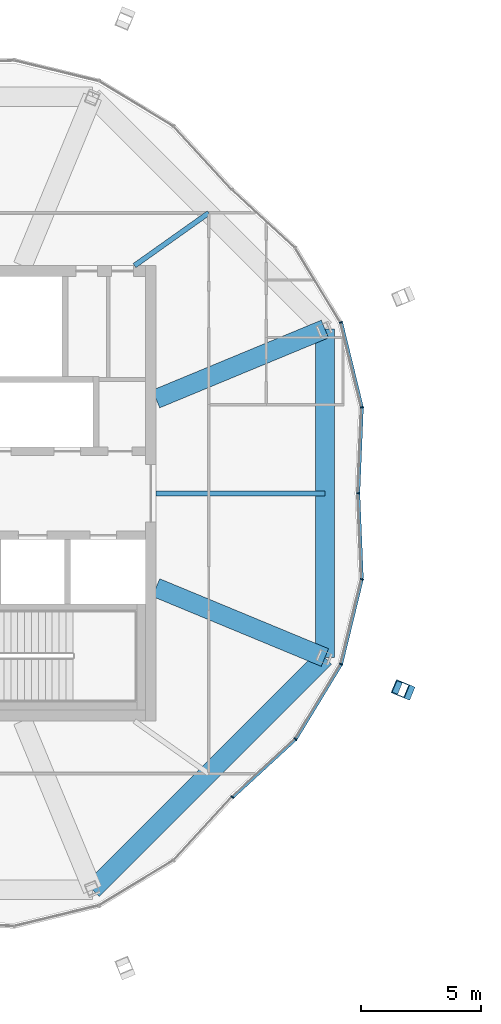
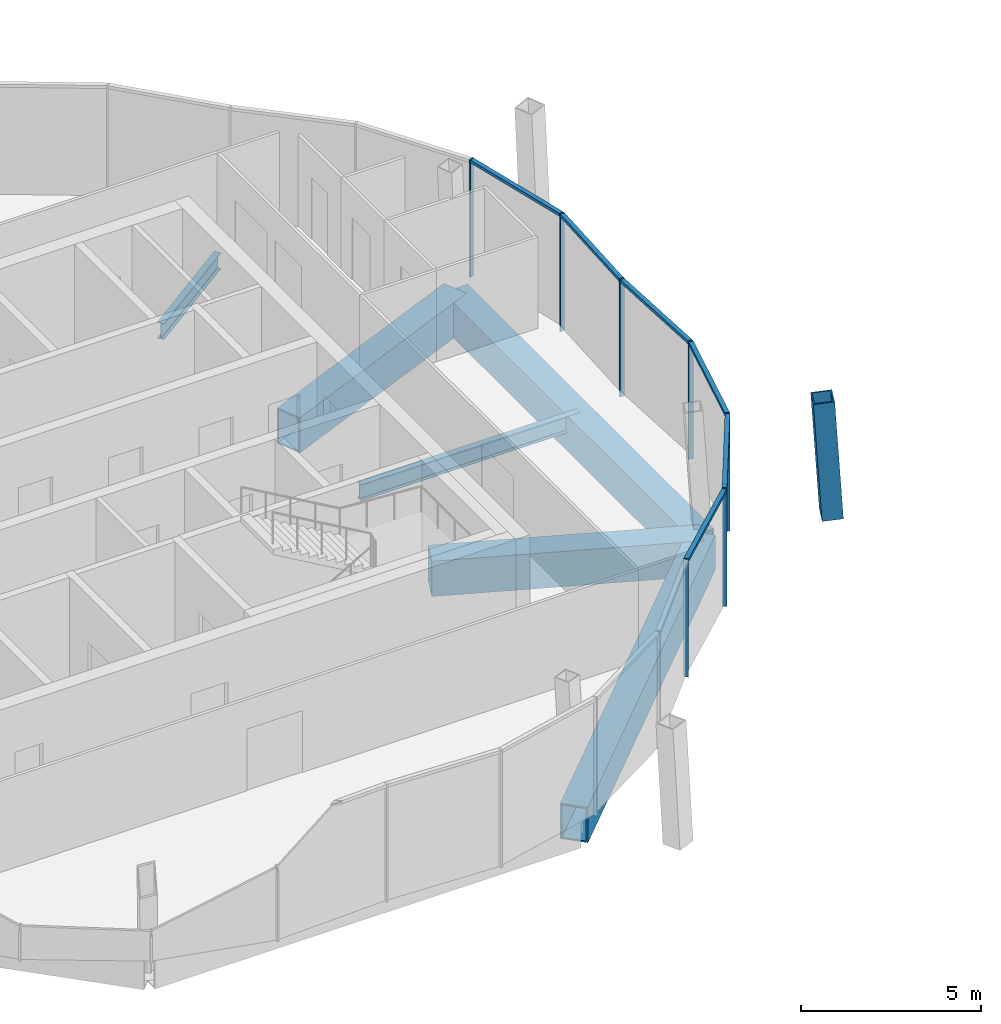
# One storey, part 5 of 22: 14 members, 6 beams, 4 elements without a shape of their own.
"""IFC4 building model written with IfcOpenShell, lengths in metres."""

from ifc_helpers import new_model, si_unit, direction, frame, origin, origin_2d, place, context, subcontext, project, spatial, rectangle, hollow_rectangle, i_section, extrude, material, material_profile, profile_set, type_object, element, aggregate, save


model = new_model("IFC4")

# Units and contexts
model_context = context("Model", 3, precision=1e-05, world=origin(), true_north=direction((0.0, 1.0)))
body_context = subcontext(model_context, "Body", "Model", "MODEL_VIEW")
ifc_project = project(units=[si_unit("LENGTHUNIT", "METRE"), si_unit("AREAUNIT", "SQUARE_METRE"), si_unit("VOLUMEUNIT", "CUBIC_METRE"), si_unit("PLANEANGLEUNIT", "RADIAN"), si_unit("MASSUNIT", "GRAM", prefix="KILO")], contexts=[model_context])

# Site, building, storey
site_placement = place(None, origin())
site = spatial("IfcSite", under=ifc_project, at=site_placement, CompositionType="ELEMENT")
building_placement = place(site_placement, origin())
building = spatial("IfcBuilding", under=site, at=building_placement, Name="Ogive Gate Towers", CompositionType="ELEMENT")
storey_placement = place(building_placement, frame((0.0, 0.0, 298.0)))
storey = spatial("IfcBuildingStorey", under=building, at=storey_placement, Name="L70", CompositionType="ELEMENT", Elevation=298.0)

# Curtain wall, members
ifc_material_1 = material(Name="Pale metal aluminium", Category="aluminium")
curtain_wall_type = type_object("IfcCurtainWallType", Name="Crown lean wall", PredefinedType="NOTDEFINED", material=ifc_material_1)
curtain_wall_1_placement = place(storey_placement, origin())
curtain_wall_1 = element("IfcCurtainWall", 1, at=curtain_wall_1_placement, inside=storey, type_object=curtain_wall_type, Name="CW5 T1 ECW01", PredefinedType="NOTDEFINED")
ifc_material_profile_1 = material_profile(ifc_material_1, rectangle(XDim=0.139892578125, YDim=0.050048828125, at=origin_2d()), Name="50 x 140 aluminium box")
ifc_profile_set_1 = profile_set([ifc_material_profile_1], Name="Pale metal aluminium")
member_type_1 = type_object("IfcMemberType", Name="Crown lean wall mullion 50 x 140", PredefinedType="MULLION", material=ifc_profile_set_1)
member_1_placement = place(storey_placement, frame((-18.77783203125, 7.1337890625, -0.300048828125), z_axis=(0.0, 0.0, 1.0), x_axis=(-0.923879532511, -0.382683432365, 0.0)))
member_1 = element("IfcMember", 2, at=member_1_placement, type_object=member_type_1, Name="CW5 mullion", PredefinedType="MULLION", context=body_context, shape_type="SweptSolid", body=[
    extrude(rectangle(XDim=0.139892578125, YDim=0.050048828125, at=origin_2d()), origin(), (0.0, 0.0, 1.0), 4.0),
])
member_2_placement = place(storey_placement, frame((-17.911376953125, 3.585205078125, -0.300048828125), z_axis=(0.0, 0.0, 1.0), x_axis=(-0.995103987926, -0.098833462017, 0.0)))
member_2 = element("IfcMember", 3, at=member_2_placement, type_object=member_type_1, Name="CW5 mullion", PredefinedType="MULLION", context=body_context, shape_type="SweptSolid", body=[
    extrude(rectangle(XDim=0.139892578125, YDim=0.050048828125, at=origin_2d()), origin(), (0.0, 0.0, 1.0), 4.0),
])
member_3_placement = place(storey_placement, frame((-18.059814453125, -0.001220703125, -0.300048828125), z_axis=(0.0, 0.0, 1.0), x_axis=(-0.99914100669, 0.041439700181, 0.0)))
member_3 = element("IfcMember", 4, at=member_3_placement, type_object=member_type_1, Name="CW5 mullion", PredefinedType="MULLION", context=body_context, shape_type="SweptSolid", body=[
    extrude(rectangle(XDim=0.139892578125, YDim=0.050048828125, at=origin_2d()), origin(), (0.0, 0.0, 1.0), 4.0),
])

# Curtain wall, member
curtain_wall_2_placement = place(storey_placement, origin())
curtain_wall_2 = element("IfcCurtainWall", 5, at=curtain_wall_2_placement, inside=storey, type_object=curtain_wall_type, Name="CW5 T1 ECW07", PredefinedType="NOTDEFINED")
member_4_placement = place(storey_placement, frame((-23.313720703125, -12.6845703125, -0.300048828125), z_axis=(0.0, 0.0, 1.0), x_axis=(-0.735813493407, 0.677184245918, 0.0)))
member_4 = element("IfcMember", 6, at=member_4_placement, type_object=member_type_1, Name="CW5 mullion", PredefinedType="MULLION", context=body_context, shape_type="SweptSolid", body=[
    extrude(rectangle(XDim=0.139892578125, YDim=0.050048828125, at=origin_2d()), origin(), (0.0, 0.0, 1.0), 4.0),
])
aggregate(curtain_wall_2, [member_4])

# Curtain wall, members
curtain_wall_3_placement = place(storey_placement, origin())
curtain_wall_3 = element("IfcCurtainWall", 7, at=curtain_wall_3_placement, inside=storey, type_object=curtain_wall_type, Name="CW5 T1 ECW08", PredefinedType="NOTDEFINED")
member_5_placement = place(storey_placement, frame((-17.912109375, -3.589111328125, -0.300048828125), z_axis=(0.0, 0.0, 1.0), x_axis=(-0.971470528077, 0.237160310926, 0.0)))
member_5 = element("IfcMember", 8, at=member_5_placement, type_object=member_type_1, Name="CW5 mullion", PredefinedType="MULLION", context=body_context, shape_type="SweptSolid", body=[
    extrude(rectangle(XDim=0.139892578125, YDim=0.050048828125, at=origin_2d()), origin(), (0.0, 0.0, 1.0), 4.0),
])
member_6_placement = place(storey_placement, frame((-18.77783203125, -7.1337890625, -0.300048828125), z_axis=(0.0, 0.0, 1.0), x_axis=(-0.923879532511, 0.382683432365, 0.0)))
member_6 = element("IfcMember", 9, at=member_6_placement, type_object=member_type_1, Name="CW5 mullion", PredefinedType="MULLION", context=body_context, shape_type="SweptSolid", body=[
    extrude(rectangle(XDim=0.139892578125, YDim=0.050048828125, at=origin_2d()), origin(), (0.0, 0.0, 1.0), 4.0),
])
member_7_placement = place(storey_placement, frame((-20.674560546875, -10.255615234375, -0.300048828125), z_axis=(0.0, 0.0, 1.0), x_axis=(-0.77351952775, 0.633772467207, 0.0)))
member_7 = element("IfcMember", 10, at=member_7_placement, type_object=member_type_1, Name="CW5 mullion", PredefinedType="MULLION", context=body_context, shape_type="SweptSolid", body=[
    extrude(rectangle(XDim=0.139892578125, YDim=0.050048828125, at=origin_2d()), origin(), (0.0, 0.0, 1.0), 4.0),
])

# Member
ifc_material_profile_2 = material_profile(ifc_material_1, rectangle(XDim=0.139892578125, YDim=0.10009765625, at=origin_2d()), Name="100 x 140 aluminium box")
ifc_profile_set_2 = profile_set([ifc_material_profile_2], Name="Pale metal aluminium")
member_type_2 = type_object("IfcMemberType", Name="Crown lean wall transom 100 x 140", PredefinedType="USERDEFINED", material=ifc_profile_set_2)
member_8_placement = place(storey_placement, frame((-18.7705078125, 7.10498046875, 3.64990234375), z_axis=(0.237145397056, -0.971474168805, 0.0), x_axis=(0.971474168805, 0.237145397056, 0.0)))
member_8 = element("IfcMember", 11, at=member_8_placement, type_object=member_type_2, Name="CW5 transom", ObjectType="TRANSOM", PredefinedType="USERDEFINED", context=body_context, shape_type="SweptSolid", body=[
    extrude(rectangle(XDim=0.139892578125, YDim=0.10009765625, at=origin_2d()), origin(), (0.0, 0.0, 1.0), 3.593994140625),
])

member_9_placement = place(storey_placement, frame((-17.912353515625, 3.555908203125, 3.64990234375), z_axis=(-0.041435216725, -0.999141192632, 0.0), x_axis=(0.999141192632, -0.041435216725, 0.0)))
member_9 = element("IfcMember", 12, at=member_9_placement, type_object=member_type_2, Name="CW5 transom", ObjectType="TRANSOM", PredefinedType="USERDEFINED", context=body_context, shape_type="SweptSolid", body=[
    extrude(rectangle(XDim=0.139892578125, YDim=0.10009765625, at=origin_2d()), origin(), (0.0, 0.0, 1.0), 3.53515625),
])

aggregate(curtain_wall_1, [member_1, member_2, member_8, member_3, member_9])

member_10_placement = place(storey_placement, frame((-17.918212890625, -3.613525390625, 3.64990234375), z_axis=(-0.237145397056, -0.971474168805, 0.0), x_axis=(0.971474168805, -0.237145397056, 0.0)))
member_10 = element("IfcMember", 13, at=member_10_placement, type_object=member_type_2, Name="CW5 transom", ObjectType="TRANSOM", PredefinedType="USERDEFINED", context=body_context, shape_type="SweptSolid", body=[
    extrude(rectangle(XDim=0.139892578125, YDim=0.10009765625, at=origin_2d()), origin(), (0.0, 0.0, 1.0), 3.593994140625),
])

member_11_placement = place(storey_placement, frame((-18.792724609375, -7.1591796875, 3.64990234375), z_axis=(-0.519302475553, -0.854590509475, 0.0), x_axis=(0.854590509475, -0.519302475553, 0.0)))
member_11 = element("IfcMember", 14, at=member_11_placement, type_object=member_type_2, Name="CW5 transom", ObjectType="TRANSOM", PredefinedType="USERDEFINED", context=body_context, shape_type="SweptSolid", body=[
    extrude(rectangle(XDim=0.139892578125, YDim=0.10009765625, at=origin_2d()), origin(), (0.0, 0.0, 1.0), 3.59423828125),
])

member_12_placement = place(storey_placement, frame((-20.69580078125, -10.275390625, 3.64990234375), z_axis=(-0.735814008941, -0.677183685751, 0.0), x_axis=(0.677183685751, -0.735814008941, 0.0)))
member_12 = element("IfcMember", 15, at=member_12_placement, type_object=member_type_2, Name="CW5 transom", ObjectType="TRANSOM", PredefinedType="USERDEFINED", context=body_context, shape_type="SweptSolid", body=[
    extrude(rectangle(XDim=0.139892578125, YDim=0.10009765625, at=origin_2d()), origin(), (0.0, 0.0, 1.0), 3.535400390625),
])

aggregate(curtain_wall_3, [member_5, member_6, member_10, member_7, member_11, member_12])

# Curtain wall, member
curtain_wall_4_placement = place(storey_placement, origin())
curtain_wall_4 = element("IfcCurtainWall", 16, at=curtain_wall_4_placement, inside=storey, type_object=curtain_wall_type, Name="CW5 T1 ECW08b", PredefinedType="NOTDEFINED")
member_13_placement = place(storey_placement, frame((-18.058837890625, -0.023681640625, 3.64990234375), z_axis=(0.041435216725, -0.999141192632, 0.0), x_axis=(0.999141192632, 0.041435216725, 0.0)))
member_13 = element("IfcMember", 17, at=member_13_placement, type_object=member_type_2, Name="CW5 transom", ObjectType="TRANSOM", PredefinedType="USERDEFINED", context=body_context, shape_type="SweptSolid", body=[
    extrude(rectangle(XDim=0.139892578125, YDim=0.10009765625, at=origin_2d()), origin(), (0.0, 0.0, 1.0), 3.53515625),
])
aggregate(curtain_wall_4, [member_13])

# Member
ifc_material_2 = material(Name="Steel SM460", Category="steel")
ifc_material_profile_3 = material_profile(ifc_material_2, hollow_rectangle(XDim=0.60009765625, YDim=0.60009765625, WallThickness=0.0400390625, at=origin_2d()), Name="BX 600x600x40")
ifc_profile_set_3 = profile_set([ifc_material_profile_3], Name="Steel SM460")
member_type_3 = type_object("IfcMemberType", Name="Crown rib BX 600x600x40", PredefinedType="MEMBER", material=ifc_profile_set_3)
member_14_placement = place(storey_placement, frame((-16.080810546875, -8.250732421875, 0.0), z_axis=(-0.056413137875, 0.023332863722, 0.99813482824), x_axis=(-0.382204885379, -0.924077607992, 0.0)))
element("IfcMember", 18, at=member_14_placement, inside=storey, type_object=member_type_3, Name="T1/L70/STR008", PredefinedType="MEMBER", context=body_context, shape_type="SweptSolid", body=[
    extrude(hollow_rectangle(XDim=0.60009765625, YDim=0.60009765625, WallThickness=0.0400390625, at=origin_2d()), origin(), (0.0, 0.0, 1.0), 4.007568359375),
])

# Beams
ifc_material_profile_4 = material_profile(ifc_material_2, hollow_rectangle(XDim=0.800048828125, YDim=1.199951171875, WallThickness=0.050048828125, at=origin_2d()), Name="BX 1200x800x50")
ifc_profile_set_4 = profile_set([ifc_material_profile_4], Name="Steel SM460")
beam_type_1 = type_object("IfcBeamType", Name="Edge girder BX 1200x800x50", PredefinedType="BEAM", material=ifc_profile_set_4)
beam_1_placement = place(storey_placement, frame((-29.146240234375, -16.546630859375, -0.89990234375), z_axis=(0.707106781187, 0.707106781187, 0.0), x_axis=(-0.707106781187, 0.707106781187, 0.0)))
element("IfcBeam", 19, at=beam_1_placement, inside=storey, type_object=beam_type_1, Name="T1/L70/SBM019", PredefinedType="BEAM", context=body_context, shape_type="SweptSolid", body=[
    extrude(hollow_rectangle(XDim=0.800048828125, YDim=1.199951171875, WallThickness=0.050048828125, at=origin_2d()), origin(), (0.0, 0.0, 1.0), 13.707763671875),
])
beam_2_placement = place(storey_placement, frame((-19.453369140625, -6.853759765625, -0.89990234375), z_axis=(0.0, 1.0, 0.0), x_axis=(-1.0, 0.0, 0.0)))
element("IfcBeam", 20, at=beam_2_placement, inside=storey, type_object=beam_type_1, Name="T1/L70/SBM020", PredefinedType="BEAM", context=body_context, shape_type="SweptSolid", body=[
    extrude(hollow_rectangle(XDim=0.800048828125, YDim=1.199951171875, WallThickness=0.050048828125, at=origin_2d()), origin(), (0.0, 0.0, 1.0), 13.70751953125),
])
ifc_material_3 = material(Name="Steel SM355", Category="steel")
ifc_material_profile_5 = material_profile(ifc_material_3, i_section(OverallWidth=0.2099609375, OverallDepth=0.550048828125, WebThickness=0.010986328125, FlangeThickness=0.01708984375, FilletRadius=0.02392578125, at=origin_2d()), Name="IPE 550")
ifc_profile_set_5 = profile_set([ifc_material_profile_5], Name="Steel SM355")
beam_type_2 = type_object("IfcBeamType", Name="Radial floor beam IPE 550", PredefinedType="BEAM", material=ifc_profile_set_5)
beam_3_placement = place(storey_placement, frame((-26.5, 0.0, -0.574951171875), z_axis=(1.0, 0.0, 0.0), x_axis=(0.0, 1.0, 0.0)))
element("IfcBeam", 21, at=beam_3_placement, inside=storey, type_object=beam_type_2, Name="T1/L70/SBM008", PredefinedType="BEAM", context=body_context, shape_type="SweptSolid", body=[
    extrude(i_section(OverallWidth=0.2099609375, OverallDepth=0.550048828125, WebThickness=0.010986328125, FlangeThickness=0.01708984375, FilletRadius=0.02392578125, at=origin_2d()), origin(), (0.0, 0.0, 1.0), 7.046630859375),
])
beam_4_placement = place(storey_placement, frame((-27.39990234375, 9.5, -0.574951171875), z_axis=(0.815491500037, 0.578769050113, 0.0), x_axis=(-0.578769050113, 0.815491500037, 0.0)))
element("IfcBeam", 22, at=beam_4_placement, inside=storey, type_object=beam_type_2, Name="T1/L70/SBM010", PredefinedType="BEAM", context=body_context, shape_type="SweptSolid", body=[
    extrude(i_section(OverallWidth=0.2099609375, OverallDepth=0.550048828125, WebThickness=0.010986328125, FlangeThickness=0.01708984375, FilletRadius=0.02392578125, at=origin_2d()), origin(), (0.0, 0.0, 1.0), 3.801513671875),
])
ifc_material_profile_6 = material_profile(ifc_material_2, hollow_rectangle(XDim=0.800048828125, YDim=1.199951171875, WallThickness=0.050048828125, at=origin_2d()), Name="BX 1200x800x50")
ifc_profile_set_6 = profile_set([ifc_material_profile_6], Name="Steel SM460")
beam_type_3 = type_object("IfcBeamType", Name="Transfer radial beam BX 1200x800x50", PredefinedType="BEAM", material=ifc_profile_set_6)
for number, where, z_axis, x_axis, name in (
    (23, (-26.5, -3.93505859375, -0.89990234375), (0.923884580387, -0.382671245488, 0.0), (0.382671245488, 0.923884580387, 0.0), "T1/L70/SBM007"),
    (24, (-26.5, 3.93505859375, -0.89990234375), (0.923884580387, 0.382671245488, 0.0), (-0.382671245488, 0.923884580387, 0.0), "T1/L70/SBM009"),
):
    element("IfcBeam", number, at=place(storey_placement, frame(where, z_axis=z_axis, x_axis=x_axis)), inside=storey, type_object=beam_type_3, Name=name, PredefinedType="BEAM", context=body_context, shape_type="SweptSolid", body=[
        extrude(hollow_rectangle(XDim=0.800048828125, YDim=1.199951171875, WallThickness=0.050048828125, at=origin_2d()), origin(), (0.0, 0.0, 1.0), 7.627197265625),
    ])

save(model, "model.ifc")
